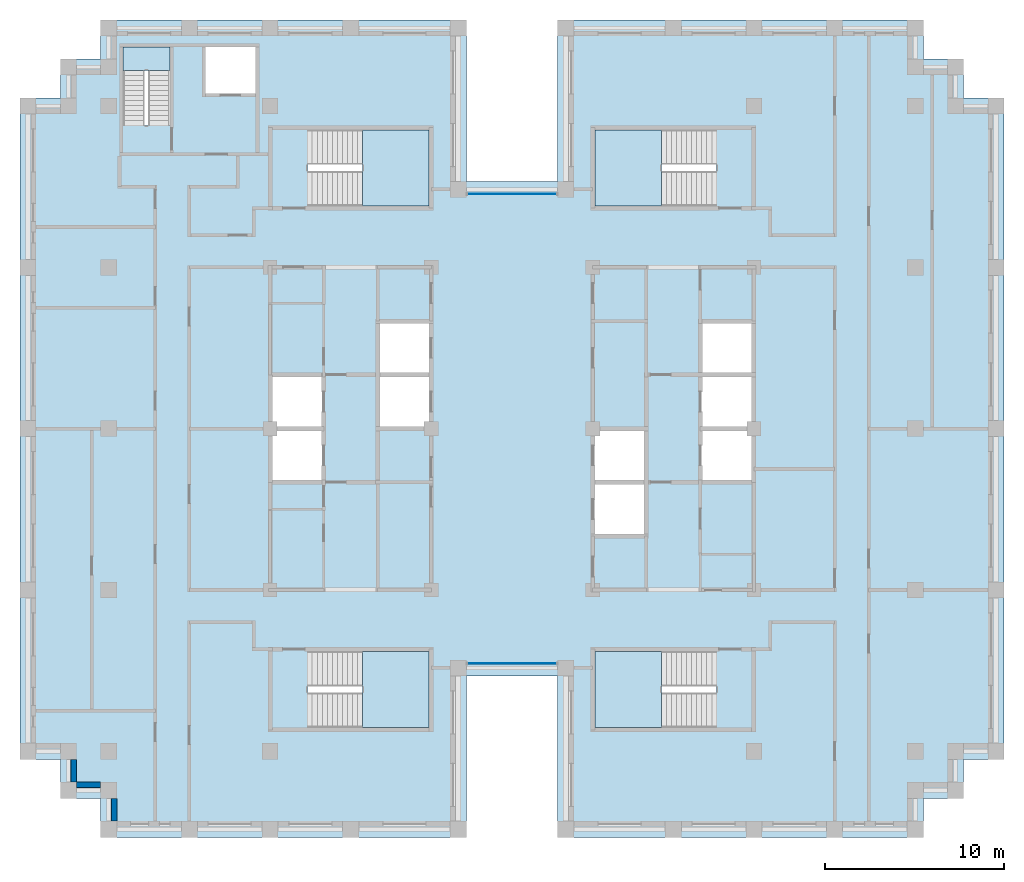
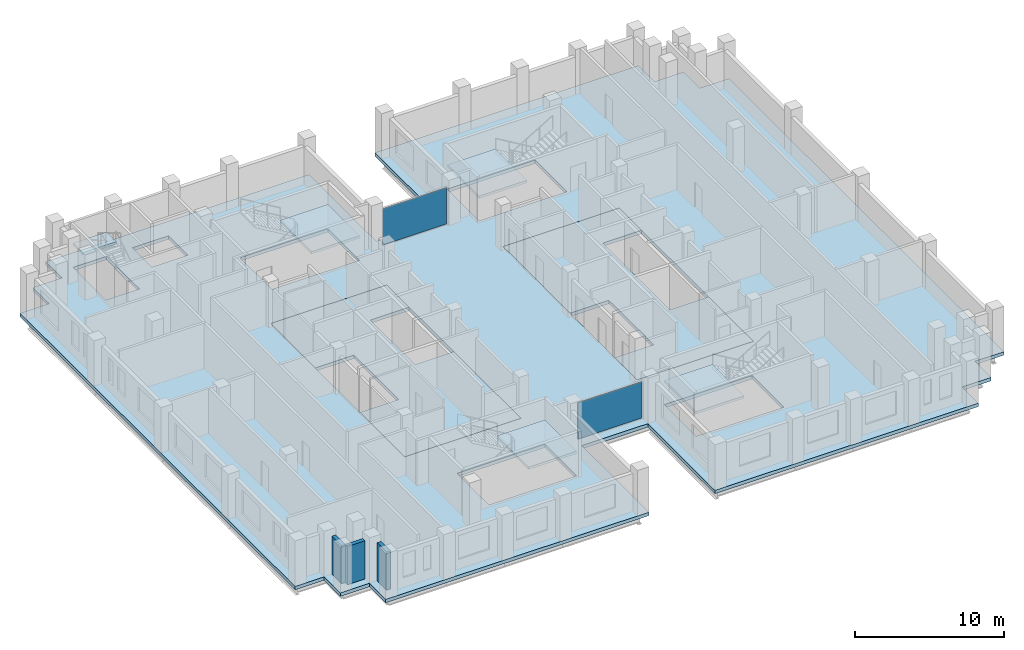
# One storey, part 5 of 13: 8 slabs, 3 walls, 2 plates, 7 elements without a shape of their own.
"""IFC4 building model written with IfcOpenShell, lengths in metres."""

from ifc_helpers import new_model, si_unit, direction, frame, frame_2d, origin, origin_2d, place, context, subcontext, project, spatial, polyline, rectangle, outline, extrude, material, layer, layer_set, type_object, element, aggregate, save


model = new_model("IFC4")

# Units and contexts
model_context = context("Model", 3, precision=1e-05, world=origin(), true_north=direction((0.0, 1.0)))
body_context = subcontext(model_context, "Body", "Model", "MODEL_VIEW")
ifc_project = project(units=[si_unit("LENGTHUNIT", "METRE"), si_unit("AREAUNIT", "SQUARE_METRE"), si_unit("VOLUMEUNIT", "CUBIC_METRE"), si_unit("PLANEANGLEUNIT", "RADIAN"), si_unit("MASSUNIT", "GRAM", prefix="KILO")], contexts=[model_context])

# Site, building, storey
site_placement = place(None, origin())
site = spatial("IfcSite", under=ifc_project, at=site_placement, CompositionType="ELEMENT")
building_placement = place(site_placement, origin())
building = spatial("IfcBuilding", under=site, at=building_placement, Name="Corbelhall Arena Tower", CompositionType="ELEMENT")
storey_placement = place(building_placement, frame((0.0, 0.0, 270.0)))
storey = spatial("IfcBuildingStorey", under=building, at=storey_placement, Name="L58", CompositionType="ELEMENT", Elevation=270.0)

# Curtain wall, plate
ifc_material_1 = material(Name="Aluminium black anodised", Category="aluminium")
ifc_layer_1 = layer(ifc_material_1, 0.199951171875)
ifc_layer_set_1 = layer_set([ifc_layer_1], Name="EV-CW1 Slot back wall")
curtain_wall_type = type_object("IfcCurtainWallType", Name="EV-CW1 Slot back wall", PredefinedType="NOTDEFINED", material=ifc_layer_set_1)
curtain_wall_1_placement = place(storey_placement, origin())
curtain_wall_1 = element("IfcCurtainWall", 1, at=curtain_wall_1_placement, inside=storey, type_object=curtain_wall_type, Name="Curtain wall CW1", PredefinedType="NOTDEFINED")
ifc_material_2 = material(Name="Glass dark tinted laminated", Category="glass")
ifc_layer_2 = layer(ifc_material_2, 0.028076171875)
ifc_layer_set_2 = layer_set([ifc_layer_2], Name="EV-CW1-PANEL")
plate_type = type_object("IfcPlateType", Name="EV-CW1-PANEL", PredefinedType="CURTAIN_PANEL", material=ifc_layer_set_2)
plate_1_placement = place(storey_placement, frame((0.0, -13.10009765625, 0.0751953125), z_axis=(0.0, 0.0, 1.0), x_axis=(1.0, 0.0, 0.0)))
plate_1 = element("IfcPlate", 2, at=plate_1_placement, type_object=plate_type, Name="CW1 panel 1.1", PredefinedType="CURTAIN_PANEL", context=body_context, shape_type="SweptSolid", body=[
    extrude(rectangle(XDim=4.949951171875, YDim=0.028076171875, at=origin_2d()), origin(), (0.0, 0.0, 1.0), 2.969970703125),
])
aggregate(curtain_wall_1, [plate_1])

curtain_wall_2_placement = place(storey_placement, origin())
curtain_wall_2 = element("IfcCurtainWall", 3, at=curtain_wall_2_placement, inside=storey, type_object=curtain_wall_type, Name="Curtain wall CW1", PredefinedType="NOTDEFINED")
plate_2_placement = place(storey_placement, frame((0.0, 13.10009765625, 0.0751953125), z_axis=(0.0, 0.0, 1.0), x_axis=(-1.0, 0.0, 0.0)))
plate_2 = element("IfcPlate", 4, at=plate_2_placement, type_object=plate_type, Name="CW1 panel 1.1", PredefinedType="CURTAIN_PANEL", context=body_context, shape_type="SweptSolid", body=[
    extrude(rectangle(XDim=4.949951171875, YDim=0.028076171875, at=origin_2d()), origin(), (0.0, 0.0, 1.0), 2.969970703125),
])
aggregate(curtain_wall_2, [plate_2])

# Slabs
ifc_material_3 = material(Name="Concrete C40/50", Category="concrete")
ifc_layer_3 = layer(ifc_material_3, 0.300048828125)
ifc_layer_set_3 = layer_set([ifc_layer_3], Name="IN-SL-CORE")
slab_type_1 = type_object("IfcSlabType", Name="IN-SL-CORE", PredefinedType="FLOOR", material=ifc_layer_set_3)
slab_1_placement = place(storey_placement, frame((0.0, 0.0, -0.280029296875)))
element("IfcSlab", 5, at=slab_1_placement, inside=storey, type_object=slab_type_1, Name="Core floor W", PredefinedType="FLOOR", context=body_context, shape_type="SweptSolid", body=[
    extrude(outline(polyline([(-10.5, -3.0), (-13.5, -3.0), (-13.5, -9.0), (-4.5, -9.0), (-4.5, 0.0), (-7.5, 0.0), (-7.5, 3.0), (-7.5, 6.0), (-4.5, 6.0), (-4.5, 9.0), (-13.5, 9.0), (-13.5, 3.0), (-10.5, 3.0), (-10.5, 0.0), (-10.5, -3.0)])), origin(), (0.0, 0.0, 1.0), 0.280029296875),
])
slab_2_placement = place(storey_placement, frame((0.0, 0.0, -0.280029296875)))
element("IfcSlab", 6, at=slab_2_placement, inside=storey, type_object=slab_type_1, Name="Core floor E", PredefinedType="FLOOR", context=body_context, shape_type="SweptSolid", body=[
    extrude(outline(polyline([(13.5, -3.0), (10.5, -3.0), (10.5, 0.0), (10.5, 3.0), (10.5, 6.0), (13.5, 6.0), (13.5, 9.0), (4.5, 9.0), (4.5, 0.0), (7.5, 0.0), (7.5, -3.0), (7.5, -6.0), (4.5, -6.0), (4.5, -9.0), (13.5, -9.0), (13.5, -3.0)])), origin(), (0.0, 0.0, 1.0), 0.280029296875),
])

# Stair, slab
stair_type = type_object("IfcStairType", Name="IN-ST-TOWER", PredefinedType="HALF_TURN_STAIR", material=ifc_material_3)
stair_1_placement = place(storey_placement, origin())
stair_1 = element("IfcStair", 7, at=stair_1_placement, inside=storey, type_object=stair_type, Name="L58 Exit stair ST1", PredefinedType="HALF_TURN_STAIR")
ifc_layer_4 = layer(ifc_material_3, 0.199951171875)
ifc_layer_set_4 = layer_set([ifc_layer_4], Name="IN-SL-LANDING")
slab_type_2 = type_object("IfcSlabType", Name="IN-SL-LANDING", PredefinedType="LANDING", material=ifc_layer_set_4)
slab_3_placement = place(storey_placement, frame((0.0, 0.0, 1.800048828125)))
slab_3 = element("IfcSlab", 8, at=slab_3_placement, type_object=slab_type_2, Name="ST1 landing 1", PredefinedType="LANDING", context=body_context, shape_type="SweptSolid", body=[
    extrude(outline(polyline([(-8.344970703125, 12.425048828125), (-4.625, 12.425048828125), (-4.625, 16.675048828125), (-8.344970703125, 16.675048828125), (-8.344970703125, 12.425048828125)])), origin(), (0.0, 0.0, 1.0), 0.199951171875),
])
aggregate(stair_1, [slab_3])

stair_2_placement = place(storey_placement, origin())
stair_2 = element("IfcStair", 9, at=stair_2_placement, inside=storey, type_object=stair_type, Name="L58 Exit stair ST2", PredefinedType="HALF_TURN_STAIR")
slab_4_placement = place(storey_placement, frame((0.0, 0.0, 1.800048828125)))
slab_4 = element("IfcSlab", 10, at=slab_4_placement, type_object=slab_type_2, Name="ST2 landing 1", PredefinedType="LANDING", context=body_context, shape_type="SweptSolid", body=[
    extrude(outline(polyline([(-8.344970703125, -16.675048828125), (-4.625, -16.675048828125), (-4.625, -12.425048828125), (-8.344970703125, -12.425048828125), (-8.344970703125, -16.675048828125)])), origin(), (0.0, 0.0, 1.0), 0.199951171875),
])
aggregate(stair_2, [slab_4])

stair_3_placement = place(storey_placement, origin())
stair_3 = element("IfcStair", 11, at=stair_3_placement, inside=storey, type_object=stair_type, Name="L58 Exit stair ST3", PredefinedType="HALF_TURN_STAIR")
slab_5_placement = place(storey_placement, frame((0.0, 0.0, 1.800048828125)))
slab_5 = element("IfcSlab", 12, at=slab_5_placement, type_object=slab_type_2, Name="ST3 landing 1", PredefinedType="LANDING", context=body_context, shape_type="SweptSolid", body=[
    extrude(outline(polyline([(8.344970703125, 16.675048828125), (4.625, 16.675048828125), (4.625, 12.425048828125), (8.344970703125, 12.425048828125), (8.344970703125, 16.675048828125)])), origin(), (0.0, 0.0, 1.0), 0.199951171875),
])
aggregate(stair_3, [slab_5])

stair_4_placement = place(storey_placement, origin())
stair_4 = element("IfcStair", 13, at=stair_4_placement, inside=storey, type_object=stair_type, Name="L58 Exit stair ST4", PredefinedType="HALF_TURN_STAIR")
slab_6_placement = place(storey_placement, frame((0.0, 0.0, 1.800048828125)))
slab_6 = element("IfcSlab", 14, at=slab_6_placement, type_object=slab_type_2, Name="ST4 landing 1", PredefinedType="LANDING", context=body_context, shape_type="SweptSolid", body=[
    extrude(outline(polyline([(8.344970703125, -12.425048828125), (4.625, -12.425048828125), (4.625, -16.675048828125), (8.344970703125, -16.675048828125), (8.344970703125, -12.425048828125)])), origin(), (0.0, 0.0, 1.0), 0.199951171875),
])
aggregate(stair_4, [slab_6])

stair_5_placement = place(storey_placement, origin())
stair_5 = element("IfcStair", 15, at=stair_5_placement, inside=storey, type_object=stair_type, Name="L58 Exit stair ST5", PredefinedType="HALF_TURN_STAIR")
slab_7_placement = place(storey_placement, frame((0.0, 0.0, 1.800048828125)))
slab_7 = element("IfcSlab", 16, at=slab_7_placement, type_object=slab_type_2, Name="ST5 landing 1", PredefinedType="LANDING", context=body_context, shape_type="SweptSolid", body=[
    extrude(outline(polyline([(-19.094970703125, 19.97998046875), (-19.094970703125, 21.300048828125), (-21.695068359375, 21.300048828125), (-21.695068359375, 19.97998046875), (-19.094970703125, 19.97998046875)])), origin(), (0.0, 0.0, 1.0), 0.199951171875),
])
aggregate(stair_5, [slab_7])

# Slab
ifc_layer_5 = layer(ifc_material_3, 0.280029296875)
ifc_layer_set_5 = layer_set([ifc_layer_5], Name="ST-SLAB-FLOOR-280")
slab_type_3 = type_object("IfcSlabType", Name="ST-SLAB-FLOOR-280", PredefinedType="FLOOR", material=ifc_layer_set_5)
slab_8_placement = place(storey_placement, frame((0.0, 0.0, -0.280029296875)))
element("IfcSlab", 17, at=slab_8_placement, inside=storey, type_object=slab_type_3, Name="Floor slab L58 1", PredefinedType="FLOOR", context=body_context, shape_type="SweptSolid", body=[
    extrude(outline(polyline([(22.949951171875, 22.800048828125), (2.550048828125, 22.800048828125), (2.550048828125, 13.800048828125), (-2.550048828125, 13.800048828125), (-2.550048828125, 22.800048828125), (-22.949951171875, 22.800048828125), (-22.949951171875, 20.625), (-25.199951171875, 20.625), (-25.199951171875, 18.449951171875), (-27.449951171875, 18.449951171875), (-27.449951171875, -18.449951171875), (-25.199951171875, -18.449951171875), (-25.199951171875, -20.625), (-22.949951171875, -20.625), (-22.949951171875, -22.800048828125), (-2.550048828125, -22.800048828125), (-2.550048828125, -13.800048828125), (2.550048828125, -13.800048828125), (2.550048828125, -22.800048828125), (22.949951171875, -22.800048828125), (22.949951171875, -20.625), (25.199951171875, -20.625), (25.199951171875, -18.449951171875), (27.449951171875, -18.449951171875), (27.449951171875, 18.449951171875), (25.199951171875, 18.449951171875), (25.199951171875, 20.625), (22.949951171875, 20.625), (22.949951171875, 22.800048828125)]), holes=[polyline([(-13.5, 9.0), (-13.5, -9.0), (-4.5, -9.0), (-4.5, 9.0), (-13.5, 9.0)]), polyline([(4.5, 9.0), (4.5, -9.0), (13.5, -9.0), (13.5, 9.0), (4.5, 9.0)]), polyline([(-4.625, 16.675048828125), (-11.422119140625, 16.675048828125), (-11.422119140625, 12.425048828125), (-4.625, 12.425048828125), (-4.625, 16.675048828125)]), polyline([(-4.625, -16.675048828125), (-4.625, -12.425048828125), (-11.422119140625, -12.425048828125), (-11.422119140625, -16.675048828125), (-4.625, -16.675048828125)]), polyline([(11.422119140625, 16.675048828125), (4.625, 16.675048828125), (4.625, 12.425048828125), (11.422119140625, 12.425048828125), (11.422119140625, 16.675048828125)]), polyline([(11.422119140625, -16.675048828125), (11.422119140625, -12.425048828125), (4.625, -12.425048828125), (4.625, -16.675048828125), (11.422119140625, -16.675048828125)]), polyline([(-21.695068359375, 21.300048828125), (-21.695068359375, 16.903076171875), (-19.094970703125, 16.903076171875), (-19.094970703125, 21.300048828125), (-21.695068359375, 21.300048828125)]), polyline([(-14.300048828125, 21.300048828125), (-17.10009765625, 21.300048828125), (-17.10009765625, 18.699951171875), (-14.300048828125, 18.699951171875), (-14.300048828125, 21.300048828125)])]), origin(), (0.0, 0.0, 1.0), 0.280029296875),
])

# Walls
ifc_material_4 = material(Name="Precast concrete C40/50 with granite facing", Category="masonry")
ifc_layer_6 = layer(ifc_material_4, 0.300048828125)
ifc_layer_set_6 = layer_set([ifc_layer_6], Name="EV-IW1 Infill panel 300")
wall_type = type_object("IfcWallType", Name="EV-IW1 Infill panel 300", PredefinedType="SOLIDWALL", material=ifc_layer_set_6)
wall_1_placement = place(storey_placement, frame((-24.449951171875, -18.449951171875, 0.0), z_axis=(0.0, 0.0, 1.0), x_axis=(0.0, -1.0, 0.0)))
element("IfcWall", 18, at=wall_1_placement, inside=storey, type_object=wall_type, Name="Infill panel IW1", PredefinedType="SOLIDWALL", context=body_context, shape_type="SweptSolid", body=[
    extrude(rectangle(XDim=1.275146484375, YDim=0.300048828125, at=frame_2d((0.6376953125, 0.0))), origin(), (0.0, 0.0, 1.0), 3.1201171875),
])
wall_2_placement = place(storey_placement, frame((-24.300048828125, -19.875, 0.0), z_axis=(0.0, 0.0, 1.0), x_axis=(1.0, 0.0, 0.0)))
element("IfcWall", 19, at=wall_2_placement, inside=storey, type_object=wall_type, Name="Infill panel IW1", PredefinedType="SOLIDWALL", context=body_context, shape_type="SweptSolid", body=[
    extrude(rectangle(XDim=1.35009765625, YDim=0.300048828125, at=frame_2d((0.675048828125, 0.0))), origin(), (0.0, 0.0, 1.0), 3.1201171875),
])
wall_3_placement = place(storey_placement, frame((-22.199951171875, -20.625, 0.0), z_axis=(0.0, 0.0, 1.0), x_axis=(0.0, -1.0, 0.0)))
element("IfcWall", 20, at=wall_3_placement, inside=storey, type_object=wall_type, Name="Infill panel IW1", PredefinedType="SOLIDWALL", context=body_context, shape_type="SweptSolid", body=[
    extrude(rectangle(XDim=1.27490234375, YDim=0.300048828125, at=frame_2d((0.637451171875, 0.0))), origin(), (0.0, 0.0, 1.0), 3.1201171875),
])

save(model, "model.ifc")
